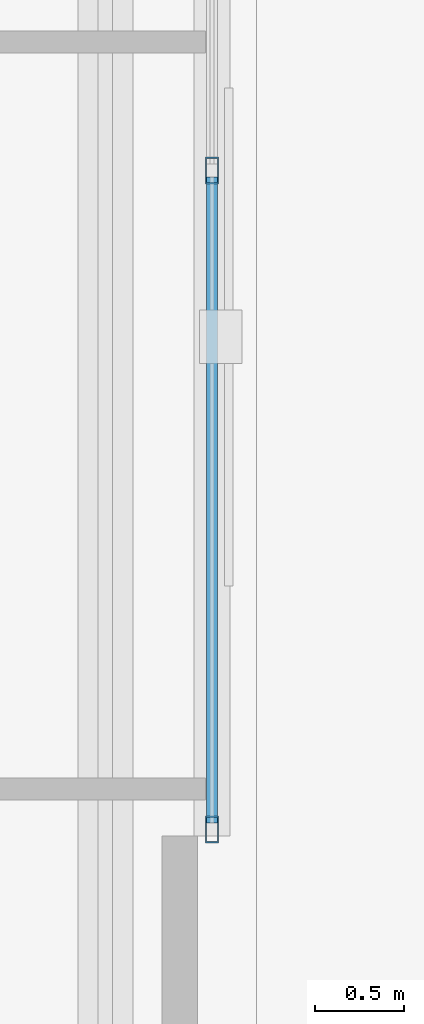
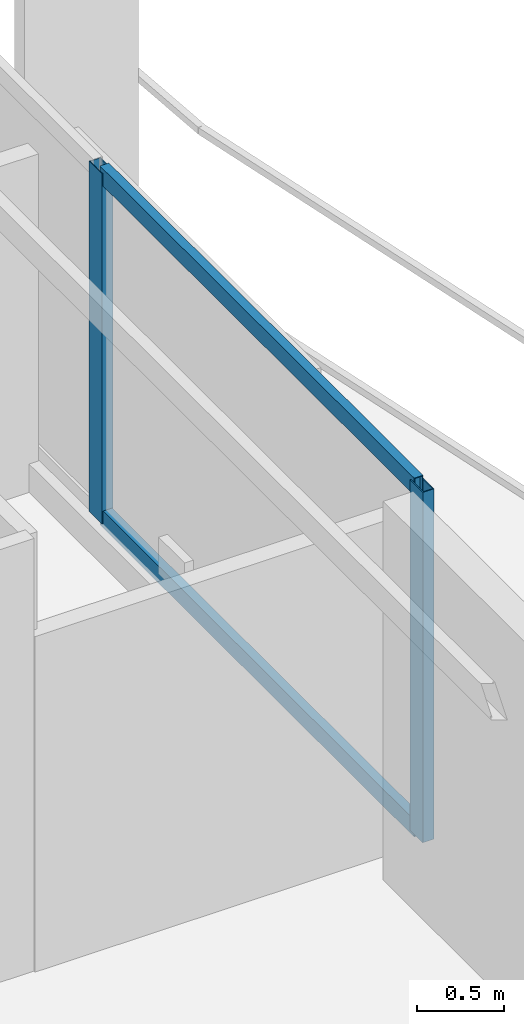
# One storey, part 8 of 22: 4 members, 1 element without a shape of its own.
"""IFC4 building model written with IfcOpenShell, lengths in metres."""

from ifc_helpers import new_model, si_unit, direction, frame, origin, origin_2d, place, context, subcontext, project, spatial, hollow_rectangle, extrude, material, layer, layer_set, material_profile, profile_set, type_object, element, aggregate, save


model = new_model("IFC4")

# Units and contexts
model_context = context("Model", 3, precision=1e-05, world=origin(), true_north=direction((0.0, 1.0)))
body_context = subcontext(model_context, "Body", "Model", "MODEL_VIEW")
ifc_project = project(units=[si_unit("LENGTHUNIT", "METRE"), si_unit("AREAUNIT", "SQUARE_METRE"), si_unit("VOLUMEUNIT", "CUBIC_METRE"), si_unit("PLANEANGLEUNIT", "RADIAN"), si_unit("MASSUNIT", "GRAM", prefix="KILO")], contexts=[model_context])

# Site, building, storey
site_placement = place(None, origin())
site = spatial("IfcSite", under=ifc_project, at=site_placement, CompositionType="ELEMENT")
building_placement = place(site_placement, origin())
building = spatial("IfcBuilding", under=site, at=building_placement, Name="Mersakhor Tower and Convention Hall", CompositionType="ELEMENT")
storey_placement = place(building_placement, frame((0.0, 0.0, 103.199951171875)))
storey = spatial("IfcBuildingStorey", under=building, at=storey_placement, Name="L28", CompositionType="ELEMENT", Elevation=103.199951171875)

# Curtain wall, members
ifc_material_1 = material(Name="Dark solar low-E aluminium curtain wall", Category="aluminium")
ifc_layer = layer(ifc_material_1, 0.159912109375)
ifc_layer_set = layer_set([ifc_layer], Name="Dark solar low-E aluminium curtain wall")
curtain_wall_type = type_object("IfcCurtainWallType", Name="CW-SYS-01", PredefinedType="USERDEFINED", material=ifc_layer_set)
curtain_wall_placement = place(storey_placement, origin())
curtain_wall = element("IfcCurtainWall", 1, at=curtain_wall_placement, inside=storey, type_object=curtain_wall_type, Name="L28 Dark-Glass Curtain Wall F2-B2", ObjectType="CURTAIN WALL", PredefinedType="USERDEFINED")
ifc_material_2 = material(Name="Anodised aluminium EN AW-6063 T6", Category="aluminium")
ifc_material_profile_1 = material_profile(ifc_material_2, hollow_rectangle(XDim=0.074951171875, YDim=0.14990234375, WallThickness=0.00634765625, at=origin_2d()), Name="RHS 150x75x6.3")
ifc_profile_set_1 = profile_set([ifc_material_profile_1], Name="Anodised aluminium EN AW-6063 T6")
member_type_1 = type_object("IfcMemberType", Name="CWM-150x75", PredefinedType="MULLION", material=ifc_profile_set_1)
member_1_placement = place(storey_placement, frame((43.03466796875, 24.87841796875, 0.199951171875), z_axis=(0.0, 0.0, 1.0), x_axis=(1.0, 0.0, 0.0)))
member_1 = element("IfcMember", 2, at=member_1_placement, type_object=member_type_1, Name="CW-01 mullion 3", PredefinedType="MULLION", context=body_context, shape_type="SweptSolid", body=[
    extrude(hollow_rectangle(XDim=0.074951171875, YDim=0.14990234375, WallThickness=0.00634765625, at=origin_2d()), origin(), (0.0, 0.0, 1.0), 2.47021484375),
])
member_2_placement = place(storey_placement, frame((43.03466796875, 21.172607421875, 0.199951171875), z_axis=(0.0, 0.0, 1.0), x_axis=(1.0, 0.0, 0.0)))
member_2 = element("IfcMember", 3, at=member_2_placement, type_object=member_type_1, Name="CW-01 mullion 4", PredefinedType="MULLION", context=body_context, shape_type="SweptSolid", body=[
    extrude(hollow_rectangle(XDim=0.074951171875, YDim=0.14990234375, WallThickness=0.00634765625, at=origin_2d()), origin(), (0.0, 0.0, 1.0), 2.47021484375),
])
ifc_material_3 = material(Name="Anodised aluminium EN AW-6063 T6", Category="aluminium")
ifc_material_profile_2 = material_profile(ifc_material_3, hollow_rectangle(XDim=0.06005859375, YDim=0.1201171875, WallThickness=0.0048828125, at=origin_2d()), Name="RHS 120x60x5")
ifc_profile_set_2 = profile_set([ifc_material_profile_2], Name="Anodised aluminium EN AW-6063 T6")
member_type_2 = type_object("IfcMemberType", Name="CWT-120x60", PredefinedType="USERDEFINED", material=ifc_profile_set_2)
member_3_placement = place(storey_placement, frame((43.03466796875, 24.8408203125, 0.22998046875), z_axis=(0.0, -1.0, 0.0), x_axis=(1.0, 0.0, 0.0)))
member_3 = element("IfcMember", 4, at=member_3_placement, type_object=member_type_2, Name="CW-01 transom 3.1", ObjectType="TRANSOM", PredefinedType="USERDEFINED", context=body_context, shape_type="SweptSolid", body=[
    extrude(hollow_rectangle(XDim=0.06005859375, YDim=0.1201171875, WallThickness=0.0048828125, at=origin_2d()), origin(), (0.0, 0.0, 1.0), 3.630615234375),
])
member_4_placement = place(storey_placement, frame((43.03466796875, 24.8408203125, 2.64013671875), z_axis=(0.0, -1.0, 0.0), x_axis=(1.0, 0.0, 0.0)))
member_4 = element("IfcMember", 5, at=member_4_placement, type_object=member_type_2, Name="CW-01 transom 3.2", ObjectType="TRANSOM", PredefinedType="USERDEFINED", context=body_context, shape_type="SweptSolid", body=[
    extrude(hollow_rectangle(XDim=0.06005859375, YDim=0.1201171875, WallThickness=0.0048828125, at=origin_2d()), origin(), (0.0, 0.0, 1.0), 3.630615234375),
])
aggregate(curtain_wall, [member_1, member_2, member_3, member_4])

save(model, "model.ifc")
